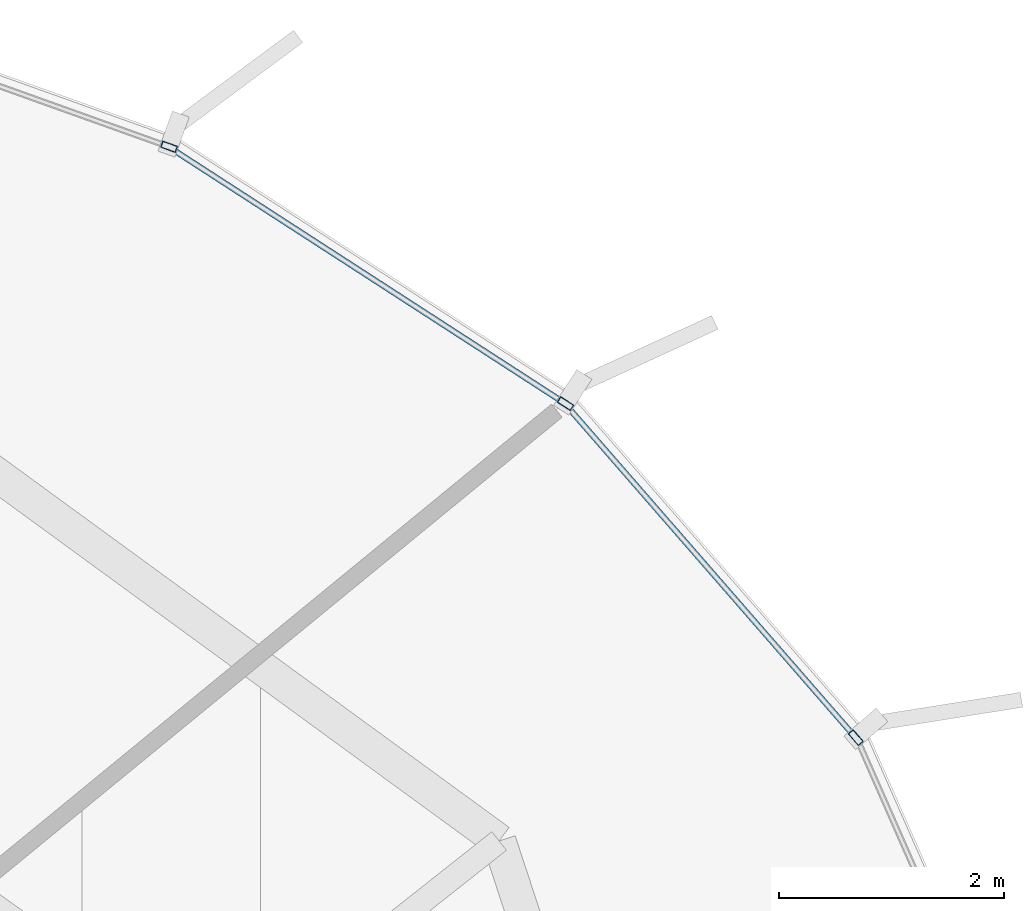
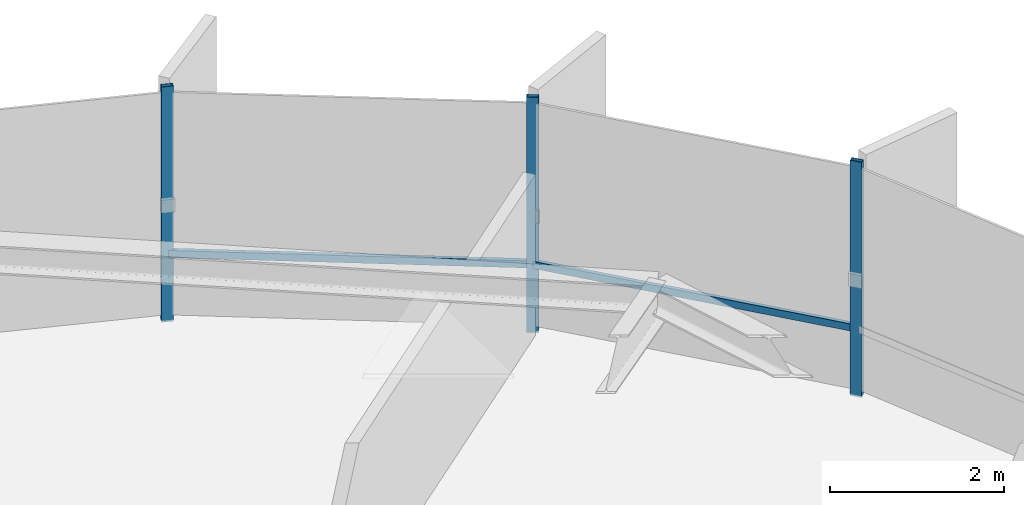
# One storey, part 27 of 36: 5 members, 1 element without a shape of its own.
"""IFC4 building model written with IfcOpenShell, lengths in metres."""

from ifc_helpers import new_model, si_unit, direction, frame, origin, origin_2d, place, context, subcontext, project, spatial, hollow_rectangle, extrude, source, transform, mapped, material, layer, layer_set, material_profile, profile_set, type_object, element, aggregate, save


model = new_model("IFC4")

# Units and contexts
model_context = context("Model", 3, precision=1e-05, world=origin(), true_north=direction((0.0, 1.0)))
body_context = subcontext(model_context, "Body", "Model", "MODEL_VIEW")
ifc_project = project(units=[si_unit("LENGTHUNIT", "METRE"), si_unit("AREAUNIT", "SQUARE_METRE"), si_unit("VOLUMEUNIT", "CUBIC_METRE"), si_unit("PLANEANGLEUNIT", "RADIAN"), si_unit("MASSUNIT", "GRAM", prefix="KILO"), si_unit("THERMODYNAMICTEMPERATUREUNIT", "KELVIN")], contexts=[model_context])

# Site, building, storey
site_placement = place(None, origin())
site = spatial("IfcSite", under=ifc_project, at=site_placement, CompositionType="ELEMENT")
building_placement = place(site_placement, origin())
building = spatial("IfcBuilding", under=site, at=building_placement, Name="Kethvar Cultural Tower", CompositionType="ELEMENT")
storey_placement = place(building_placement, frame((0.0, 0.0, 164.300048828125)))
storey = spatial("IfcBuildingStorey", under=building, at=storey_placement, Name="L42", CompositionType="ELEMENT", Elevation=164.300048828125)

# Curtain wall, members
ifc_material = material(Name="Aluminium 6063-T6", Category="aluminium")
ifc_layer = layer(ifc_material, 0.179931640625, Name="Aluminium 6063-T6", Category="aluminium")
ifc_layer_set = layer_set([ifc_layer], Name="Aluminium 6063-T6 (180 mm)")
curtain_wall_type = type_object("IfcCurtainWallType", Name="CW-SYS-04-Z34", PredefinedType="NOTDEFINED", material=ifc_layer_set)
curtain_wall_placement = place(storey_placement, origin())
curtain_wall = element("IfcCurtainWall", 1, at=curtain_wall_placement, inside=storey, type_object=curtain_wall_type, Name="L42 Curtain Wall Run 01", PredefinedType="NOTDEFINED")
ifc_material_profile_1 = material_profile(ifc_material, hollow_rectangle(XDim=0.06005859375, YDim=0.139892578125, WallThickness=0.0048828125, at=origin_2d()), Name="Aluminium 6063-T6 — RHS140x60x5")
ifc_profile_set_1 = profile_set([ifc_material_profile_1], Name="Aluminium 6063-T6 — RHS140x60x5")
member_type_1 = type_object("IfcMemberType", Name="CW-SYS-04-Z34-MUL", PredefinedType="MULLION", material=ifc_profile_set_1)
shared_shape_1 = source(origin(), body_context, "Body", "SweptSolid", [
    extrude(hollow_rectangle(XDim=0.06005859375, YDim=0.139892578125, WallThickness=0.0048828125, at=origin_2d()), origin(), (0.0, 0.0, 1.0), 3.300048828125),
])
member_1_placement = place(storey_placement, frame((74.25439453125, 45.249267578125, 0.0), z_axis=(0.0, 0.0, 1.0), x_axis=(-0.75410238674, -0.656756873061, 0.0)))
member_1 = element("IfcMember", 2, at=member_1_placement, type_object=member_type_1, Name="CW-L42-R01 Mullion 1", PredefinedType="MULLION", context=body_context, shape_type="MappedRepresentation", body=[
    mapped(shared_shape_1, transform((0.0, 0.0, 0.0), scale=1.0)),
])
member_2_placement = place(storey_placement, frame((71.669921875, 48.22314453125, 0.0), z_axis=(0.0, 0.0, 1.0), x_axis=(-0.543247718538, -0.839572460425, 0.0)))
member_2 = element("IfcMember", 3, at=member_2_placement, type_object=member_type_1, Name="CW-L42-R01 Mullion 2", PredefinedType="MULLION", context=body_context, shape_type="MappedRepresentation", body=[
    mapped(shared_shape_1, transform((0.0, 0.0, 0.0), scale=1.0)),
])
member_3_placement = place(storey_placement, frame((68.14111328125, 50.510009765625, 0.0), z_axis=(0.0, 0.0, 1.0), x_axis=(-0.336700866602, -0.941611664345, 0.0)))
member_3 = element("IfcMember", 4, at=member_3_placement, type_object=member_type_1, Name="CW-L42-R01 Mullion 3", PredefinedType="MULLION", context=body_context, shape_type="MappedRepresentation", body=[
    mapped(shared_shape_1, transform((0.0, 0.0, 0.0), scale=1.0)),
])
ifc_material_profile_2 = material_profile(ifc_material, hollow_rectangle(XDim=0.050048828125, YDim=0.10009765625, WallThickness=0.00390625, at=origin_2d()), Name="Aluminium 6063-T6 — RHS100x50x4")
ifc_profile_set_2 = profile_set([ifc_material_profile_2], Name="Aluminium 6063-T6 — RHS100x50x4")
member_type_2 = type_object("IfcMemberType", Name="CW-SYS-04-Z34-TRN", PredefinedType="USERDEFINED", material=ifc_profile_set_2)
shared_shape_2 = source(origin(), body_context, "Body", "SweptSolid", [
    extrude(hollow_rectangle(XDim=0.050048828125, YDim=0.10009765625, WallThickness=0.00390625, at=origin_2d()), origin(), (0.0, 0.0, 1.0), 3.923095703125),
])
member_4_placement = place(storey_placement, frame((74.251708984375, 45.252197265625, 0.949951171875), z_axis=(-0.65673165766, 0.754124346396, 0.0), x_axis=(-0.754124346396, -0.65673165766, 0.0)))
member_4 = element("IfcMember", 5, at=member_4_placement, type_object=member_type_2, Name="CW-L42-R01 Transom 1", ObjectType="TRANSOM", PredefinedType="USERDEFINED", context=body_context, shape_type="MappedRepresentation", body=[
    mapped(shared_shape_2, transform((0.0, 0.0, 0.0), scale=1.0)),
])
shared_shape_3 = source(origin(), body_context, "Body", "SweptSolid", [
    extrude(hollow_rectangle(XDim=0.050048828125, YDim=0.10009765625, WallThickness=0.00390625, at=origin_2d()), origin(), (0.0, 0.0, 1.0), 4.143798828125),
])
member_5_placement = place(storey_placement, frame((71.6337890625, 48.24658203125, 0.949951171875), z_axis=(-0.839559092186, 0.543268378178, 0.0), x_axis=(-0.543268378178, -0.839559092186, 0.0)))
member_5 = element("IfcMember", 6, at=member_5_placement, type_object=member_type_2, Name="CW-L42-R01 Transom 2", ObjectType="TRANSOM", PredefinedType="USERDEFINED", context=body_context, shape_type="MappedRepresentation", body=[
    mapped(shared_shape_3, transform((0.0, 0.0, 0.0), scale=1.0)),
])
aggregate(curtain_wall, [member_1, member_2, member_3, member_4, member_5])

save(model, "model.ifc")
